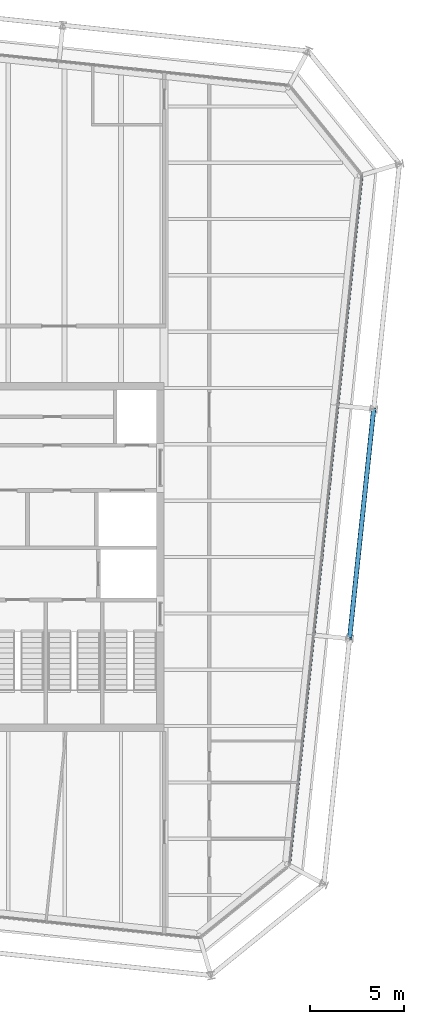
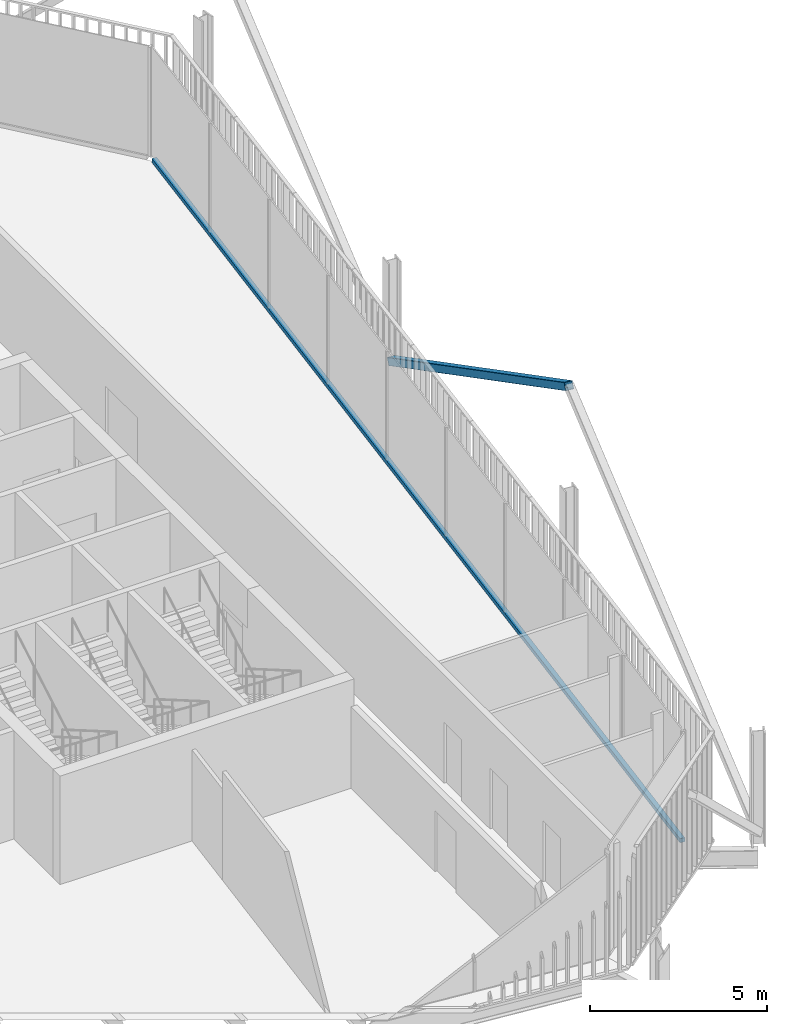
# One storey, part 10 of 21: 2 members, 1 element without a shape of its own.
"""IFC4 building model written with IfcOpenShell, lengths in metres."""

import ifcopenshell
import ifcopenshell.guid

model = None  # the IFC model being written
_history = None  # IfcOwnerHistory: only IFC2X3 demands one
_inside = {}  # id of a spatial element -> (the spatial element, [elements in it])
_under = {}  # id of a project, library or spatial element -> (it, [spatial elements below it])
_declared = {}  # id of a project -> (the project, [libraries it declares])
_typed = {}  # id of a type object -> (the type object, [elements of that type])
_made_of = {}  # id of a material, layer set ... -> (it, [elements and type objects made of it])


def new_model(schema):
    """Start an empty IFC model of exactly this schema.

    Asked for "IFC4X3", IfcOpenShell would pick the latest addendum, in which some entities
    have other attributes; the version numbers below select the first issue.
    IFC2X3 requires an IfcOwnerHistory on every rooted entity: one is made here for all.
    """
    global model, _history
    if schema == "IFC4X3":
        model = ifcopenshell.file(schema_version=(4, 3, 0, 0))
    else:
        model = ifcopenshell.file(schema=schema)
    _inside.clear()
    _under.clear()
    _declared.clear()
    _typed.clear()
    _made_of.clear()
    _history = None
    if model.schema == "IFC2X3":
        org = make("IfcOrganization", Name="unknown")
        user = make(
            "IfcPersonAndOrganization",
            ThePerson=make("IfcPerson", FamilyName="unknown"),
            TheOrganization=org,
        )
        app = make(
            "IfcApplication",
            ApplicationDeveloper=org,
            Version="unknown",
            ApplicationFullName="unknown",
            ApplicationIdentifier="unknown",
        )
        _history = make(
            "IfcOwnerHistory",
            OwningUser=user,
            OwningApplication=app,
            ChangeAction="ADDED",
            CreationDate=0,
        )
    return model


def make(cls, **values):
    """One entity of the class cls with the attributes given. An attribute that is None is left unset."""
    return model.create_entity(
        cls, **{name: value for name, value in values.items() if value is not None}
    )


def rooted(cls, **values):
    """An entity with a GlobalId (a new one), such as an element, a storey or a relation."""
    return make(cls, GlobalId=ifcopenshell.guid.new(), OwnerHistory=_history, **values)


def si_unit(unit_type, name, prefix=None):
    """IfcSIUnit, for example si_unit("LENGTHUNIT", "METRE", prefix="MILLI")."""
    return make("IfcSIUnit", UnitType=unit_type, Prefix=prefix, Name=name)


def assignment(units):
    """IfcUnitAssignment: the units of a project."""
    return None if units is None else make("IfcUnitAssignment", Units=units)


def point(xyz):
    """IfcCartesianPoint."""
    return None if xyz is None else make("IfcCartesianPoint", Coordinates=xyz)


def direction(xyz):
    """IfcDirection."""
    return None if xyz is None else make("IfcDirection", DirectionRatios=xyz)


def frame(location, z_axis=None, x_axis=None):
    """IfcAxis2Placement3D, a coordinate frame: its origin and axes. An axis left out is left unset."""
    return make(
        "IfcAxis2Placement3D",
        Location=point(location),
        Axis=direction(z_axis),
        RefDirection=direction(x_axis),
    )


def frame_2d(location, x_axis=None):
    """IfcAxis2Placement2D, a coordinate frame in the plane: its origin and x axis."""
    return make(
        "IfcAxis2Placement2D", Location=point(location), RefDirection=direction(x_axis)
    )


def origin():
    """The frame at (0, 0, 0) with its axes left unset."""
    return frame((0.0, 0.0, 0.0))


def origin_2d():
    """The frame at (0, 0) in the plane with its x axis left unset."""
    return frame_2d((0.0, 0.0))


def place(relative_to, where):
    """IfcLocalPlacement: puts the frame where relative to a parent placement (None: the world)."""
    return make(
        "IfcLocalPlacement", PlacementRelTo=relative_to, RelativePlacement=where
    )


def context(
    kind, dimensions, precision=None, world=None, true_north=None, identifier=None
):
    """IfcGeometricRepresentationContext, for example the 3D "Model" context."""
    return make(
        "IfcGeometricRepresentationContext",
        ContextIdentifier=identifier,
        ContextType=kind,
        CoordinateSpaceDimension=dimensions,
        Precision=precision,
        WorldCoordinateSystem=world,
        TrueNorth=true_north,
    )


def subcontext(parent, identifier, kind, view, scale=None):
    """IfcGeometricRepresentationSubContext, for example "Body" below "Model"."""
    return make(
        "IfcGeometricRepresentationSubContext",
        ContextIdentifier=identifier,
        ContextType=kind,
        ParentContext=parent,
        TargetScale=scale,
        TargetView=view,
    )


def project(units=None, contexts=None):
    """IfcProject with its units and contexts."""
    return rooted(
        "IfcProject",
        Name="project",
        RepresentationContexts=contexts,
        UnitsInContext=assignment(units),
    )


def spatial(cls, under=None, at=None, **own):
    """A site, building, storey or space (cls), placed at a placement, below another one or the project."""
    s = rooted(cls, ObjectPlacement=at, **own)
    if under is not None:
        _under.setdefault(under.id(), (under, []))[1].append(s)
    return s


def profile(cls, at=None, kind="AREA", **sizes):
    """A parametric profile (cls). Its sizes go by their IFC names, for example OverallWidth=200.0."""
    return make(cls, ProfileType=kind, Position=at, **sizes)


def rectangle(**sizes):
    """IfcRectangleProfileDef."""
    return profile("IfcRectangleProfileDef", **sizes)


def hollow_rectangle(**sizes):
    """IfcRectangleHollowProfileDef."""
    return profile("IfcRectangleHollowProfileDef", **sizes)


def extrude(swept, where, along, depth):
    """IfcExtrudedAreaSolid: the profile swept, set in the frame where, extruded along a direction by depth."""
    return make(
        "IfcExtrudedAreaSolid",
        SweptArea=swept,
        Position=where,
        ExtrudedDirection=direction(along),
        Depth=depth,
    )


def shape(context_of_items, identifier, shape_type, items):
    """IfcShapeRepresentation: the items that make up one representation, for example the "Body"."""
    return make(
        "IfcShapeRepresentation",
        ContextOfItems=context_of_items,
        RepresentationIdentifier=identifier,
        RepresentationType=shape_type,
        Items=items,
    )


def material(Name=None, Category=None):
    """IfcMaterial."""
    return make("IfcMaterial", Name=Name, Category=Category)


def layer(
    of_material, thickness, ventilated=None, Name=None, Category=None, Priority=None
):
    """IfcMaterialLayer: one layer of a wall or slab, of a material (None: an air gap)."""
    return make(
        "IfcMaterialLayer",
        Material=of_material,
        LayerThickness=thickness,
        IsVentilated=ventilated,
        Name=Name,
        Category=Category,
        Priority=Priority,
    )


def layer_set(layers, Name=None):
    """IfcMaterialLayerSet."""
    return make("IfcMaterialLayerSet", MaterialLayers=layers, LayerSetName=Name)


def material_profile(
    of_material, cross_section, Name=None, Category=None, Priority=None
):
    """IfcMaterialProfile: a cross section and its material."""
    return make(
        "IfcMaterialProfile",
        Name=Name,
        Material=of_material,
        Profile=cross_section,
        Priority=Priority,
        Category=Category,
    )


def profile_set(profiles, Name=None, composite=None):
    """IfcMaterialProfileSet."""
    return make(
        "IfcMaterialProfileSet",
        Name=Name,
        MaterialProfiles=profiles,
        CompositeProfile=composite,
    )


def made_of(thing, what):
    """Note that an element or type object is made of a material, layer set ...; save() writes the relation."""
    if what is not None:
        _made_of.setdefault(what.id(), (what, []))[1].append(thing)
    return thing


def type_object(cls, material=None, **own):
    """A type object (cls), such as IfcWallType, which elements share."""
    return made_of(rooted(cls, **own), material)


def element(
    cls,
    number,
    at=None,
    inside=None,
    cuts=None,
    type_object=None,
    material=None,
    context=None,
    identifier="Body",
    shape_type=None,
    held_by="IfcProductDefinitionShape",
    body=None,
    shapes=None,
    **own,
):
    """One element of the class cls, such as IfcWall. Its Tag is "e" and its number.

    at: its placement. inside: the storey or other place that contains it. cuts: it is an
    opening in that element (IfcRelVoidsElement). A single representation is given by context,
    identifier, shape_type and body (its items); several are given by shapes. held_by: the class
    of the entity that holds the representations. save() writes the other relations.
    """
    e = rooted(cls, Tag="e%d" % number, ObjectPlacement=at, **own)
    if body is not None:
        shapes = [shape(context, identifier, shape_type, body)]
    if shapes is not None:
        e.Representation = make(held_by, Representations=shapes)
    if inside is not None:
        _inside.setdefault(inside.id(), (inside, []))[1].append(e)
    if cuts is not None:
        rooted(
            "IfcRelVoidsElement", RelatingBuildingElement=cuts, RelatedOpeningElement=e
        )
    if type_object is not None:
        _typed.setdefault(type_object.id(), (type_object, []))[1].append(e)
    return made_of(e, material)


def aggregate(whole, parts):
    """IfcRelAggregates: a whole, such as a stair, and the parts it consists of."""
    return rooted("IfcRelAggregates", RelatingObject=whole, RelatedObjects=parts)


def save(model, path):
    """Write the relations noted so far, then the file.

    IfcRelAggregates (storeys below a building ...), IfcRelContainedInSpatialStructure (elements
    in a storey), IfcRelDefinesByType, IfcRelAssociatesMaterial and IfcRelDeclares: one each for
    every whole, place, type object, material and project.
    """
    for whole, parts in _under.values():
        aggregate(whole, parts)
    for where, things in _inside.values():
        rooted(
            "IfcRelContainedInSpatialStructure",
            RelatedElements=things,
            RelatingStructure=where,
        )
    for kind, things in _typed.values():
        rooted("IfcRelDefinesByType", RelatedObjects=things, RelatingType=kind)
    for what, things in _made_of.values():
        rooted("IfcRelAssociatesMaterial", RelatedObjects=things, RelatingMaterial=what)
    for by, libraries in _declared.values():
        rooted("IfcRelDeclares", RelatingContext=by, RelatedDefinitions=libraries)
    model.write(path)


model = new_model("IFC4")

# Units and contexts
model_context = context("Model", 3, precision=1e-05, world=origin(), true_north=direction((0.0, 1.0)))
body_context = subcontext(model_context, "Body", "Model", "MODEL_VIEW")
ifc_project = project(units=[si_unit("LENGTHUNIT", "METRE"), si_unit("AREAUNIT", "SQUARE_METRE"), si_unit("VOLUMEUNIT", "CUBIC_METRE"), si_unit("PLANEANGLEUNIT", "RADIAN"), si_unit("MASSUNIT", "GRAM", prefix="KILO")], contexts=[model_context])

# Site, building, storey
site_placement = place(None, origin())
site = spatial("IfcSite", under=ifc_project, at=site_placement, CompositionType="ELEMENT")
building_placement = place(site_placement, origin())
building = spatial("IfcBuilding", under=site, at=building_placement, Name="Millrace Tower", CompositionType="ELEMENT")
storey_placement = place(building_placement, frame((0.0, 0.0, 299.39990234375)))
storey = spatial("IfcBuildingStorey", under=building, at=storey_placement, Name="L69", CompositionType="ELEMENT", Elevation=299.39990234375)

# Curtain wall, member
ifc_material_1 = material(Name="Aluminium and glass", Category="aluminium")
ifc_layer = layer(ifc_material_1, 0.14990234375)
ifc_layer_set = layer_set([ifc_layer], Name="Aluminium and glass")
curtain_wall_type = type_object("IfcCurtainWallType", Name="CW-1 office vision curtain wall", PredefinedType="NOTDEFINED", material=ifc_layer_set)
curtain_wall_placement = place(storey_placement, origin())
curtain_wall = element("IfcCurtainWall", 1, at=curtain_wall_placement, inside=storey, type_object=curtain_wall_type, Name="Curtain wall E-F04 L69", PredefinedType="NOTDEFINED")
ifc_material_2 = material(Name="Aluminium", Category="aluminium")
ifc_material_profile_1 = material_profile(ifc_material_2, rectangle(XDim=0.14990234375, YDim=0.139892578125, at=origin_2d()))
ifc_profile_set_1 = profile_set([ifc_material_profile_1], Name="Aluminium")
member_type_1 = type_object("IfcMemberType", Name="CW-1 office vision curtain wall transom", PredefinedType="USERDEFINED", material=ifc_profile_set_1)
member_1_placement = place(storey_placement, frame((20.98193359375, -16.285400390625, 0.070068359375), z_axis=(0.104527916025, 0.994521952886, 0.0), x_axis=(-0.994521952886, 0.104527916025, 0.0)))
member_1 = element("IfcMember", 2, at=member_1_placement, type_object=member_type_1, Name="CW1 transom E-F04.1", ObjectType="TRANSOM", PredefinedType="USERDEFINED", context=body_context, shape_type="SweptSolid", body=[
    extrude(rectangle(XDim=0.14990234375, YDim=0.139892578125, at=origin_2d()), origin(), (0.0, 0.0, 1.0), 36.699951171875),
])
aggregate(curtain_wall, [member_1])

# Member
ifc_material_3 = material(Name="Steel ASTM A500 Grade C", Category="steel")
ifc_material_profile_2 = material_profile(ifc_material_3, hollow_rectangle(XDim=0.25390625, YDim=0.25390625, WallThickness=0.0126953125, InnerFilletRadius=0.00634765625, OuterFilletRadius=0.01904296875, at=origin_2d()))
ifc_profile_set_2 = profile_set([ifc_material_profile_2], Name="Steel ASTM A500 Grade C")
member_type_2 = type_object("IfcMemberType", Name="Exoskeleton brace HSS10x10x1/2", PredefinedType="BRACE", material=ifc_profile_set_2)
member_2_placement = place(storey_placement, frame((25.457275390625, 7.879150390625, 0.400146484375), z_axis=(-0.090844087175, -0.864347159857, 0.494622420713), x_axis=(0.994522189618, -0.10452566363, 0.0)))
element("IfcMember", 3, at=member_2_placement, inside=storey, type_object=member_type_2, Name="BRC-E-L69-07", PredefinedType="BRACE", context=body_context, shape_type="SweptSolid", body=[
    extrude(hollow_rectangle(XDim=0.25390625, YDim=0.25390625, WallThickness=0.0126953125, InnerFilletRadius=0.00634765625, OuterFilletRadius=0.01904296875, at=origin_2d()), origin(), (0.0, 0.0, 1.0), 14.152099609375),
])

save(model, "model.ifc")
